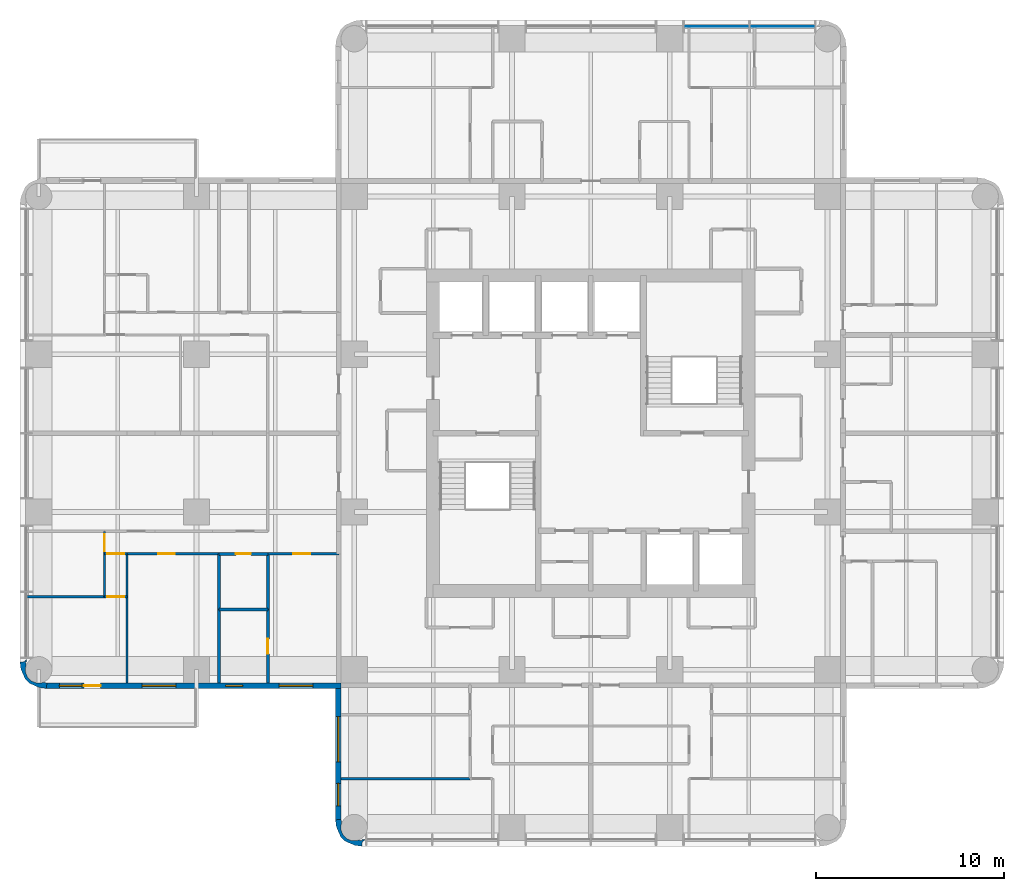
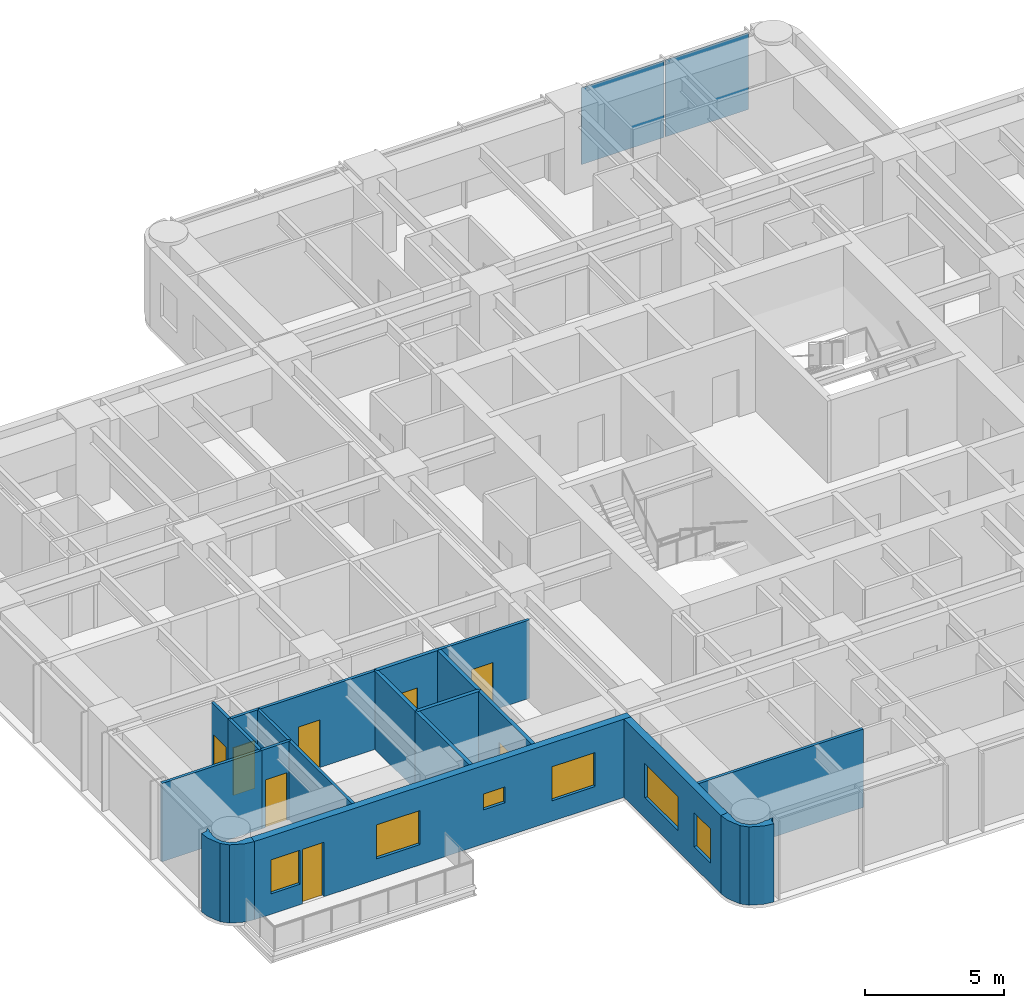
# One storey, part 4 of 12: 20 walls, 8 doors, 6 windows, 2 plates, 14 openings, 1 element without a shape of its own.
"""IFC4 building model written with IfcOpenShell, lengths in metres."""

import ifcopenshell
import ifcopenshell.guid

model = None  # the IFC model being written
_history = None  # IfcOwnerHistory: only IFC2X3 demands one
_inside = {}  # id of a spatial element -> (the spatial element, [elements in it])
_under = {}  # id of a project, library or spatial element -> (it, [spatial elements below it])
_declared = {}  # id of a project -> (the project, [libraries it declares])
_typed = {}  # id of a type object -> (the type object, [elements of that type])
_made_of = {}  # id of a material, layer set ... -> (it, [elements and type objects made of it])


def new_model(schema):
    """Start an empty IFC model of exactly this schema.

    Asked for "IFC4X3", IfcOpenShell would pick the latest addendum, in which some entities
    have other attributes; the version numbers below select the first issue.
    IFC2X3 requires an IfcOwnerHistory on every rooted entity: one is made here for all.
    """
    global model, _history
    if schema == "IFC4X3":
        model = ifcopenshell.file(schema_version=(4, 3, 0, 0))
    else:
        model = ifcopenshell.file(schema=schema)
    _inside.clear()
    _under.clear()
    _declared.clear()
    _typed.clear()
    _made_of.clear()
    _history = None
    if model.schema == "IFC2X3":
        org = make("IfcOrganization", Name="unknown")
        user = make(
            "IfcPersonAndOrganization",
            ThePerson=make("IfcPerson", FamilyName="unknown"),
            TheOrganization=org,
        )
        app = make(
            "IfcApplication",
            ApplicationDeveloper=org,
            Version="unknown",
            ApplicationFullName="unknown",
            ApplicationIdentifier="unknown",
        )
        _history = make(
            "IfcOwnerHistory",
            OwningUser=user,
            OwningApplication=app,
            ChangeAction="ADDED",
            CreationDate=0,
        )
    return model


def make(cls, **values):
    """One entity of the class cls with the attributes given. An attribute that is None is left unset."""
    return model.create_entity(
        cls, **{name: value for name, value in values.items() if value is not None}
    )


def rooted(cls, **values):
    """An entity with a GlobalId (a new one), such as an element, a storey or a relation."""
    return make(cls, GlobalId=ifcopenshell.guid.new(), OwnerHistory=_history, **values)


def si_unit(unit_type, name, prefix=None):
    """IfcSIUnit, for example si_unit("LENGTHUNIT", "METRE", prefix="MILLI")."""
    return make("IfcSIUnit", UnitType=unit_type, Prefix=prefix, Name=name)


def assignment(units):
    """IfcUnitAssignment: the units of a project."""
    return None if units is None else make("IfcUnitAssignment", Units=units)


def point(xyz):
    """IfcCartesianPoint."""
    return None if xyz is None else make("IfcCartesianPoint", Coordinates=xyz)


def direction(xyz):
    """IfcDirection."""
    return None if xyz is None else make("IfcDirection", DirectionRatios=xyz)


def frame(location, z_axis=None, x_axis=None):
    """IfcAxis2Placement3D, a coordinate frame: its origin and axes. An axis left out is left unset."""
    return make(
        "IfcAxis2Placement3D",
        Location=point(location),
        Axis=direction(z_axis),
        RefDirection=direction(x_axis),
    )


def frame_2d(location, x_axis=None):
    """IfcAxis2Placement2D, a coordinate frame in the plane: its origin and x axis."""
    return make(
        "IfcAxis2Placement2D", Location=point(location), RefDirection=direction(x_axis)
    )


def origin():
    """The frame at (0, 0, 0) with its axes left unset."""
    return frame((0.0, 0.0, 0.0))


def origin_2d():
    """The frame at (0, 0) in the plane with its x axis left unset."""
    return frame_2d((0.0, 0.0))


def place(relative_to, where):
    """IfcLocalPlacement: puts the frame where relative to a parent placement (None: the world)."""
    return make(
        "IfcLocalPlacement", PlacementRelTo=relative_to, RelativePlacement=where
    )


def context(
    kind, dimensions, precision=None, world=None, true_north=None, identifier=None
):
    """IfcGeometricRepresentationContext, for example the 3D "Model" context."""
    return make(
        "IfcGeometricRepresentationContext",
        ContextIdentifier=identifier,
        ContextType=kind,
        CoordinateSpaceDimension=dimensions,
        Precision=precision,
        WorldCoordinateSystem=world,
        TrueNorth=true_north,
    )


def subcontext(parent, identifier, kind, view, scale=None):
    """IfcGeometricRepresentationSubContext, for example "Body" below "Model"."""
    return make(
        "IfcGeometricRepresentationSubContext",
        ContextIdentifier=identifier,
        ContextType=kind,
        ParentContext=parent,
        TargetScale=scale,
        TargetView=view,
    )


def project(units=None, contexts=None):
    """IfcProject with its units and contexts."""
    return rooted(
        "IfcProject",
        Name="project",
        RepresentationContexts=contexts,
        UnitsInContext=assignment(units),
    )


def spatial(cls, under=None, at=None, **own):
    """A site, building, storey or space (cls), placed at a placement, below another one or the project."""
    s = rooted(cls, ObjectPlacement=at, **own)
    if under is not None:
        _under.setdefault(under.id(), (under, []))[1].append(s)
    return s


def polyline(points):
    """IfcPolyline through the points."""
    return make("IfcPolyline", Points=[point(p) for p in points])


def profile(cls, at=None, kind="AREA", **sizes):
    """A parametric profile (cls). Its sizes go by their IFC names, for example OverallWidth=200.0."""
    return make(cls, ProfileType=kind, Position=at, **sizes)


def rectangle(**sizes):
    """IfcRectangleProfileDef."""
    return profile("IfcRectangleProfileDef", **sizes)


def outline(outer, holes=None, kind="AREA"):
    """IfcArbitraryClosedProfileDef: a profile drawn as a closed curve; with holes, ...WithVoids."""
    if holes is None:
        return make("IfcArbitraryClosedProfileDef", ProfileType=kind, OuterCurve=outer)
    return make(
        "IfcArbitraryProfileDefWithVoids",
        ProfileType=kind,
        OuterCurve=outer,
        InnerCurves=holes,
    )


def extrude(swept, where, along, depth):
    """IfcExtrudedAreaSolid: the profile swept, set in the frame where, extruded along a direction by depth."""
    return make(
        "IfcExtrudedAreaSolid",
        SweptArea=swept,
        Position=where,
        ExtrudedDirection=direction(along),
        Depth=depth,
    )


def shape(context_of_items, identifier, shape_type, items):
    """IfcShapeRepresentation: the items that make up one representation, for example the "Body"."""
    return make(
        "IfcShapeRepresentation",
        ContextOfItems=context_of_items,
        RepresentationIdentifier=identifier,
        RepresentationType=shape_type,
        Items=items,
    )


def material(Name=None, Category=None):
    """IfcMaterial."""
    return make("IfcMaterial", Name=Name, Category=Category)


def layer(
    of_material, thickness, ventilated=None, Name=None, Category=None, Priority=None
):
    """IfcMaterialLayer: one layer of a wall or slab, of a material (None: an air gap)."""
    return make(
        "IfcMaterialLayer",
        Material=of_material,
        LayerThickness=thickness,
        IsVentilated=ventilated,
        Name=Name,
        Category=Category,
        Priority=Priority,
    )


def layer_set(layers, Name=None):
    """IfcMaterialLayerSet."""
    return make("IfcMaterialLayerSet", MaterialLayers=layers, LayerSetName=Name)


def made_of(thing, what):
    """Note that an element or type object is made of a material, layer set ...; save() writes the relation."""
    if what is not None:
        _made_of.setdefault(what.id(), (what, []))[1].append(thing)
    return thing


def type_object(cls, material=None, **own):
    """A type object (cls), such as IfcWallType, which elements share."""
    return made_of(rooted(cls, **own), material)


def element(
    cls,
    number,
    at=None,
    inside=None,
    cuts=None,
    type_object=None,
    material=None,
    context=None,
    identifier="Body",
    shape_type=None,
    held_by="IfcProductDefinitionShape",
    body=None,
    shapes=None,
    **own,
):
    """One element of the class cls, such as IfcWall. Its Tag is "e" and its number.

    at: its placement. inside: the storey or other place that contains it. cuts: it is an
    opening in that element (IfcRelVoidsElement). A single representation is given by context,
    identifier, shape_type and body (its items); several are given by shapes. held_by: the class
    of the entity that holds the representations. save() writes the other relations.
    """
    e = rooted(cls, Tag="e%d" % number, ObjectPlacement=at, **own)
    if body is not None:
        shapes = [shape(context, identifier, shape_type, body)]
    if shapes is not None:
        e.Representation = make(held_by, Representations=shapes)
    if inside is not None:
        _inside.setdefault(inside.id(), (inside, []))[1].append(e)
    if cuts is not None:
        rooted(
            "IfcRelVoidsElement", RelatingBuildingElement=cuts, RelatedOpeningElement=e
        )
    if type_object is not None:
        _typed.setdefault(type_object.id(), (type_object, []))[1].append(e)
    return made_of(e, material)


def fill(opening, filler):
    """IfcRelFillsElement: the door or window that sits in an opening."""
    return rooted(
        "IfcRelFillsElement",
        RelatingOpeningElement=opening,
        RelatedBuildingElement=filler,
    )


def aggregate(whole, parts):
    """IfcRelAggregates: a whole, such as a stair, and the parts it consists of."""
    return rooted("IfcRelAggregates", RelatingObject=whole, RelatedObjects=parts)


def save(model, path):
    """Write the relations noted so far, then the file.

    IfcRelAggregates (storeys below a building ...), IfcRelContainedInSpatialStructure (elements
    in a storey), IfcRelDefinesByType, IfcRelAssociatesMaterial and IfcRelDeclares: one each for
    every whole, place, type object, material and project.
    """
    for whole, parts in _under.values():
        aggregate(whole, parts)
    for where, things in _inside.values():
        rooted(
            "IfcRelContainedInSpatialStructure",
            RelatedElements=things,
            RelatingStructure=where,
        )
    for kind, things in _typed.values():
        rooted("IfcRelDefinesByType", RelatedObjects=things, RelatingType=kind)
    for what, things in _made_of.values():
        rooted("IfcRelAssociatesMaterial", RelatedObjects=things, RelatingMaterial=what)
    for by, libraries in _declared.values():
        rooted("IfcRelDeclares", RelatingContext=by, RelatedDefinitions=libraries)
    model.write(path)


model = new_model("IFC4")

# Units and contexts
model_context = context("Model", 3, precision=1e-05, world=origin(), true_north=direction((0.0, 1.0)))
body_context = subcontext(model_context, "Body", "Model", "MODEL_VIEW")
ifc_project = project(units=[si_unit("LENGTHUNIT", "METRE"), si_unit("AREAUNIT", "SQUARE_METRE"), si_unit("VOLUMEUNIT", "CUBIC_METRE"), si_unit("PLANEANGLEUNIT", "RADIAN"), si_unit("MASSUNIT", "GRAM", prefix="KILO")], contexts=[model_context])

# Site, building, storey
site_placement = place(None, origin())
site = spatial("IfcSite", under=ifc_project, at=site_placement, CompositionType="ELEMENT")
building_placement = place(site_placement, origin())
building = spatial("IfcBuilding", under=site, at=building_placement, Name="Torre Alcanfor", CompositionType="ELEMENT")
storey_placement = place(building_placement, frame((0.0, 0.0, 226.5)))
storey = spatial("IfcBuildingStorey", under=building, at=storey_placement, Name="L59", CompositionType="ELEMENT", Elevation=226.5)

# Curtain wall, plates
ifc_material_1 = material(Name="Aluminium and glass", Category="aluminium")
curtain_wall_type = type_object("IfcCurtainWallType", Name="CW-A unitised apartment glazing with vertical FIN", PredefinedType="NOTDEFINED", material=ifc_material_1)
curtain_wall_placement = place(storey_placement, origin())
curtain_wall = element("IfcCurtainWall", 1, at=curtain_wall_placement, inside=storey, type_object=curtain_wall_type, Name="Curtain wall CW-A L59 11", PredefinedType="NOTDEFINED")
ifc_material_2 = material(Name="Glass", Category="glass")
ifc_layer_1 = layer(ifc_material_2, 0.028076171875)
ifc_layer_set_1 = layer_set([ifc_layer_1], Name="CW-A clear double glazed unit")
plate_type = type_object("IfcPlateType", Name="CW-A clear double glazed unit", PredefinedType="CURTAIN_PANEL", material=ifc_layer_set_1)
plate_1_placement = place(storey_placement, frame((39.60107421875, 51.050048828125, 0.0), z_axis=(0.0, 0.0, 1.0), x_axis=(-1.0, 0.0, 0.0)))
plate_1 = element("IfcPlate", 2, at=plate_1_placement, type_object=plate_type, Name="CW-A panel 1.1.1", PredefinedType="CURTAIN_PANEL", context=body_context, shape_type="SweptSolid", body=[
    extrude(rectangle(XDim=3.444091796875, YDim=0.028076171875, at=origin_2d()), origin(), (0.0, 0.0, 1.0), 3.385009765625),
])
plate_2_placement = place(storey_placement, frame((36.092041015625, 51.050048828125, 0.0), z_axis=(0.0, 0.0, 1.0), x_axis=(-1.0, 0.0, 0.0)))
plate_2 = element("IfcPlate", 3, at=plate_2_placement, type_object=plate_type, Name="CW-A panel 1.2.1", PredefinedType="CURTAIN_PANEL", context=body_context, shape_type="SweptSolid", body=[
    extrude(rectangle(XDim=3.444091796875, YDim=0.028076171875, at=origin_2d()), origin(), (0.0, 0.0, 1.0), 3.385009765625),
])
aggregate(curtain_wall, [plate_1, plate_2])

# Wall
ifc_material_3 = material(Name="Gypsum board on steel studs", Category="steel")
ifc_layer_2 = layer(ifc_material_3, 0.1201171875)
ifc_layer_set_2 = layer_set([ifc_layer_2], Name="Apartment partition 120")
wall_type_1 = type_object("IfcWallType", Name="Apartment partition 120", PredefinedType="PARTITIONING", material=ifc_layer_set_2)
wall_1_placement = place(storey_placement, frame((22.970947265625, 11.0, 0.0), z_axis=(0.0, 0.0, 1.0), x_axis=(-1.0, 0.0, 0.0)))
element("IfcWall", 4, at=wall_1_placement, inside=storey, type_object=wall_type_1, Name="Partition L59-S2-STUDY / L59-S2-MASTER", PredefinedType="PARTITIONING", context=body_context, shape_type="SweptSolid", body=[
    extrude(rectangle(XDim=6.870849609375, YDim=0.1201171875, at=frame_2d((3.435546875, 0.0))), origin(), (0.0, 0.0, 1.0), 3.449951171875),
])

# Wall, opening, door
wall_2_placement = place(storey_placement, frame((12.199951171875, 22.970947265625, 0.0), z_axis=(0.0, 0.0, 1.0), x_axis=(1.0, 0.0, 0.0)))
wall_2 = element("IfcWall", 5, at=wall_2_placement, inside=storey, type_object=wall_type_1, Name="Partition L59-W1-HALL / L59-W1-SERV", PredefinedType="PARTITIONING", context=body_context, shape_type="SweptSolid", body=[
    extrude(rectangle(XDim=3.775146484375, YDim=0.1201171875, at=frame_2d((1.8876953125, 0.0))), origin(), (0.0, 0.0, 1.0), 3.449951171875),
])
opening_1_placement = place(wall_2_placement, frame((1.35009765625, 0.0, 0.0)))
opening_1 = element("IfcOpeningElement", 6, at=opening_1_placement, cuts=wall_2, Name="Opening D-R1", PredefinedType="OPENING", context=body_context, shape_type="SweptSolid", body=[
    extrude(rectangle(XDim=0.89990234375, YDim=2.10009765625, at=frame_2d((0.449951171875, 1.050048828125))), frame((0.0, 0.070068359375, 0.0), z_axis=(0.0, -1.0, 0.0), x_axis=(1.0, 0.0, 0.0)), (0.0, 0.0, 1.0), 0.14013671875),
])
ifc_material_4 = material(Name="Timber", Category="wood")
door_type_1 = type_object("IfcDoorType", Name="Internal door 900x2100", OperationType="SINGLE_SWING_LEFT", PredefinedType="DOOR", material=ifc_material_4)
door_1_placement = place(opening_1_placement, frame((0.89990234375, 0.0, 0.0), z_axis=(0.0, 0.0, 1.0), x_axis=(-1.0, 0.0, 0.0)))
door_1 = element("IfcDoor", 7, at=door_1_placement, inside=storey, type_object=door_type_1, Name="Door L59-W1 serv", OperationType="SINGLE_SWING_RIGHT", OverallHeight=2.10009765625, OverallWidth=0.89990234375, PredefinedType="DOOR", context=body_context, shape_type="SweptSolid", body=[
    extrude(rectangle(XDim=0.89990234375, YDim=2.10009765625, at=frame_2d((0.449951171875, 1.050048828125))), frame((0.0, 0.025146484375, 0.0), z_axis=(0.0, -1.0, 0.0), x_axis=(1.0, 0.0, 0.0)), (0.0, 0.0, 1.0), 0.050048828125),
])
fill(opening_1, door_1)

wall_3_placement = place(storey_placement, frame((4.699951171875, 22.970947265625, 0.0), z_axis=(0.0, 0.0, 1.0), x_axis=(1.0, 0.0, 0.0)))
wall_3 = element("IfcWall", 8, at=wall_3_placement, inside=storey, type_object=wall_type_1, Name="Partition L59-W1-HALL / L59-W1-BED3", PredefinedType="PARTITIONING", context=body_context, shape_type="SweptSolid", body=[
    extrude(rectangle(XDim=4.900146484375, YDim=0.1201171875, at=frame_2d((2.4501953125, 0.0))), origin(), (0.0, 0.0, 1.0), 3.449951171875),
])
opening_2_placement = place(wall_3_placement, frame((1.64990234375, 0.0, 0.0)))
opening_2 = element("IfcOpeningElement", 9, at=opening_2_placement, cuts=wall_3, Name="Opening D-R1", PredefinedType="OPENING", context=body_context, shape_type="SweptSolid", body=[
    extrude(rectangle(XDim=0.89990234375, YDim=2.10009765625, at=frame_2d((0.449951171875, 1.050048828125))), frame((0.0, 0.070068359375, 0.0), z_axis=(0.0, -1.0, 0.0), x_axis=(1.0, 0.0, 0.0)), (0.0, 0.0, 1.0), 0.14013671875),
])
door_2_placement = place(opening_2_placement, frame((0.89990234375, 0.0, 0.0), z_axis=(0.0, 0.0, 1.0), x_axis=(-1.0, 0.0, 0.0)))
door_2 = element("IfcDoor", 10, at=door_2_placement, inside=storey, type_object=door_type_1, Name="Door L59-W1 bed3", OperationType="SINGLE_SWING_RIGHT", OverallHeight=2.10009765625, OverallWidth=0.89990234375, PredefinedType="DOOR", context=body_context, shape_type="SweptSolid", body=[
    extrude(rectangle(XDim=0.89990234375, YDim=2.10009765625, at=frame_2d((0.449951171875, 1.050048828125))), frame((0.0, 0.025146484375, 0.0), z_axis=(0.0, -1.0, 0.0), x_axis=(1.0, 0.0, 0.0)), (0.0, 0.0, 1.0), 0.050048828125),
])
fill(opening_2, door_2)

wall_4_placement = place(storey_placement, frame((3.5, 22.970947265625, 0.0), z_axis=(0.0, 0.0, 1.0), x_axis=(1.0, 0.0, 0.0)))
wall_4 = element("IfcWall", 11, at=wall_4_placement, inside=storey, type_object=wall_type_1, Name="Partition L59-W1-HALL / L59-W1-VEST", PredefinedType="PARTITIONING", context=body_context, shape_type="SweptSolid", body=[
    extrude(rectangle(XDim=1.199951171875, YDim=0.1201171875, at=frame_2d((0.60009765625, 0.0))), origin(), (0.0, 0.0, 1.0), 3.449951171875),
])
opening_3_placement = place(wall_4_placement, frame((0.14990234375, 0.0, 0.0)))
opening_3 = element("IfcOpeningElement", 12, at=opening_3_placement, cuts=wall_4, Name="Opening D-R1", PredefinedType="OPENING", context=body_context, shape_type="SweptSolid", body=[
    extrude(rectangle(XDim=0.89990234375, YDim=2.10009765625, at=frame_2d((0.449951171875, 1.050048828125))), frame((0.0, 0.070068359375, 0.0), z_axis=(0.0, -1.0, 0.0), x_axis=(1.0, 0.0, 0.0)), (0.0, 0.0, 1.0), 0.14013671875),
])
door_3_placement = place(opening_3_placement, frame((0.89990234375, 0.0, 0.0), z_axis=(0.0, 0.0, 1.0), x_axis=(-1.0, 0.0, 0.0)))
door_3 = element("IfcDoor", 13, at=door_3_placement, inside=storey, type_object=door_type_1, Name="Door L59-W1 vest", OperationType="SINGLE_SWING_RIGHT", OverallHeight=2.10009765625, OverallWidth=0.89990234375, PredefinedType="DOOR", context=body_context, shape_type="SweptSolid", body=[
    extrude(rectangle(XDim=0.89990234375, YDim=2.10009765625, at=frame_2d((0.449951171875, 1.050048828125))), frame((0.0, 0.025146484375, 0.0), z_axis=(0.0, -1.0, 0.0), x_axis=(1.0, 0.0, 0.0)), (0.0, 0.0, 1.0), 0.050048828125),
])
fill(opening_3, door_3)

wall_5_placement = place(storey_placement, frame((3.5, 24.1708984375, 0.0), z_axis=(0.0, 0.0, 1.0), x_axis=(0.0, -1.0, 0.0)))
wall_5 = element("IfcWall", 14, at=wall_5_placement, inside=storey, type_object=wall_type_1, Name="Partition L59-W1-HALL / L59-W1-BED2", PredefinedType="PARTITIONING", context=body_context, shape_type="SweptSolid", body=[
    extrude(rectangle(XDim=1.199951171875, YDim=0.1201171875, at=frame_2d((0.60009765625, 0.0))), origin(), (0.0, 0.0, 1.0), 3.449951171875),
])
opening_4_placement = place(wall_5_placement, frame((0.15087890625, 0.0, 0.0)))
opening_4 = element("IfcOpeningElement", 15, at=opening_4_placement, cuts=wall_5, Name="Opening D-R1", PredefinedType="OPENING", context=body_context, shape_type="SweptSolid", body=[
    extrude(rectangle(XDim=0.89990234375, YDim=2.10009765625, at=frame_2d((0.449951171875, 1.050048828125))), frame((0.0, 0.070068359375, 0.0), z_axis=(0.0, -1.0, 0.0), x_axis=(1.0, 0.0, 0.0)), (0.0, 0.0, 1.0), 0.14013671875),
])
door_4_placement = place(opening_4_placement, frame((0.89990234375, 0.0, 0.0), z_axis=(0.0, 0.0, 1.0), x_axis=(-1.0, 0.0, 0.0)))
door_4 = element("IfcDoor", 16, at=door_4_placement, inside=storey, type_object=door_type_1, Name="Door L59-W1 bed2", OperationType="SINGLE_SWING_RIGHT", OverallHeight=2.10009765625, OverallWidth=0.89990234375, PredefinedType="DOOR", context=body_context, shape_type="SweptSolid", body=[
    extrude(rectangle(XDim=0.89990234375, YDim=2.10009765625, at=frame_2d((0.449951171875, 1.050048828125))), frame((0.0, 0.025146484375, 0.0), z_axis=(0.0, -1.0, 0.0), x_axis=(1.0, 0.0, 0.0)), (0.0, 0.0, 1.0), 0.050048828125),
])
fill(opening_4, door_4)

# Walls
wall_6_placement = place(storey_placement, frame((4.699951171875, 22.970947265625, 0.0), z_axis=(0.0, 0.0, 1.0), x_axis=(0.0, -1.0, 0.0)))
element("IfcWall", 17, at=wall_6_placement, inside=storey, type_object=wall_type_1, Name="Partition L59-W1-BED3 / L59-W1-VEST", PredefinedType="PARTITIONING", context=body_context, shape_type="SweptSolid", body=[
    extrude(rectangle(XDim=2.284912109375, YDim=0.1201171875, at=frame_2d((1.142578125, 0.0))), origin(), (0.0, 0.0, 1.0), 3.449951171875),
])
wall_7_placement = place(storey_placement, frame((4.699951171875, 20.68603515625, 0.0), z_axis=(0.0, 0.0, 1.0), x_axis=(0.0, -1.0, 0.0)))
element("IfcWall", 18, at=wall_7_placement, inside=storey, type_object=wall_type_1, Name="Partition L59-W1-BED3 / L59-W1-MASTER", PredefinedType="PARTITIONING", context=body_context, shape_type="SweptSolid", body=[
    extrude(rectangle(XDim=4.5859375, YDim=0.1201171875, at=frame_2d((2.29296875, 0.0))), origin(), (0.0, 0.0, 1.0), 3.449951171875),
])
wall_8_placement = place(storey_placement, frame((3.5, 22.970947265625, 0.0), z_axis=(0.0, 0.0, 1.0), x_axis=(0.0, -1.0, 0.0)))
element("IfcWall", 19, at=wall_8_placement, inside=storey, type_object=wall_type_1, Name="Partition L59-W1-VEST / L59-W1-BED2", PredefinedType="PARTITIONING", context=body_context, shape_type="SweptSolid", body=[
    extrude(rectangle(XDim=2.284912109375, YDim=0.1201171875, at=frame_2d((1.142578125, 0.0))), origin(), (0.0, 0.0, 1.0), 3.449951171875),
])

# Wall, opening, door
wall_9_placement = place(storey_placement, frame((3.5, 20.68603515625, 0.0), z_axis=(0.0, 0.0, 1.0), x_axis=(1.0, 0.0, 0.0)))
wall_9 = element("IfcWall", 20, at=wall_9_placement, inside=storey, type_object=wall_type_1, Name="Partition L59-W1-VEST / L59-W1-MASTER", PredefinedType="PARTITIONING", context=body_context, shape_type="SweptSolid", body=[
    extrude(rectangle(XDim=1.199951171875, YDim=0.1201171875, at=frame_2d((0.60009765625, 0.0))), origin(), (0.0, 0.0, 1.0), 3.449951171875),
])
opening_5_placement = place(wall_9_placement, frame((0.14990234375, 0.0, 0.0)))
opening_5 = element("IfcOpeningElement", 21, at=opening_5_placement, cuts=wall_9, Name="Opening D-R1", PredefinedType="OPENING", context=body_context, shape_type="SweptSolid", body=[
    extrude(rectangle(XDim=0.89990234375, YDim=2.10009765625, at=frame_2d((0.449951171875, 1.050048828125))), frame((0.0, 0.070068359375, 0.0), z_axis=(0.0, -1.0, 0.0), x_axis=(1.0, 0.0, 0.0)), (0.0, 0.0, 1.0), 0.14013671875),
])
door_5_placement = place(opening_5_placement, origin())
door_5 = element("IfcDoor", 22, at=door_5_placement, inside=storey, type_object=door_type_1, Name="Door L59-W1 master", OperationType="SINGLE_SWING_LEFT", OverallHeight=2.10009765625, OverallWidth=0.89990234375, PredefinedType="DOOR", context=body_context, shape_type="SweptSolid", body=[
    extrude(rectangle(XDim=0.89990234375, YDim=2.10009765625, at=frame_2d((0.449951171875, 1.050048828125))), frame((0.0, 0.02490234375, 0.0), z_axis=(0.0, -1.0, 0.0), x_axis=(1.0, 0.0, 0.0)), (0.0, 0.0, 1.0), 0.050048828125),
])
fill(opening_5, door_5)

# Wall
wall_10_placement = place(storey_placement, frame((-0.64990234375, 20.68603515625, 0.0), z_axis=(0.0, 0.0, 1.0), x_axis=(1.0, 0.0, 0.0)))
element("IfcWall", 23, at=wall_10_placement, inside=storey, type_object=wall_type_1, Name="Partition L59-W1-BED2 / L59-W1-MASTER", PredefinedType="PARTITIONING", context=body_context, shape_type="SweptSolid", body=[
    extrude(rectangle(XDim=4.14990234375, YDim=0.1201171875, at=frame_2d((2.074951171875, 0.0))), origin(), (0.0, 0.0, 1.0), 3.449951171875),
])

# Wall, openings, door, windows
ifc_material_5 = material(Name="Limestone cladding", Category="masonry")
ifc_layer_3 = layer(ifc_material_5, 0.0400390625, Name="Facing")
ifc_material_6 = material(Name="Ventilated air cavity")
ifc_layer_4 = layer(ifc_material_6, 0.02001953125, ventilated=True, Name="Ventilated joint")
ifc_material_7 = material(Name="Mineral wool insulation", Category="insulation")
ifc_layer_5 = layer(ifc_material_7, 0.10009765625, Name="Insulation")
ifc_material_8 = material(Name="Concrete f'c 35 MPa", Category="concrete")
ifc_layer_6 = layer(ifc_material_8, 0.139892578125, Name="Backing")
ifc_layer_set_3 = layer_set([ifc_layer_3, ifc_layer_4, ifc_layer_5, ifc_layer_6], Name="External wall stone-clad 300")
wall_type_2 = type_object("IfcWallType", Name="External wall stone-clad 300", PredefinedType="SOLIDWALL", material=ifc_layer_set_3)
wall_11_placement = place(storey_placement, frame((0.39990234375, 15.949951171875, 0.0), z_axis=(0.0, 0.0, 1.0), x_axis=(1.0, 0.0, 0.0)))
wall_11 = element("IfcWall", 24, at=wall_11_placement, inside=storey, type_object=wall_type_2, Name="External wall L59 3", PredefinedType="SOLIDWALL", context=body_context, shape_type="SweptSolid", body=[
    extrude(rectangle(XDim=15.7001953125, YDim=0.300048828125, at=frame_2d((7.85009765625, 0.0))), origin(), (0.0, 0.0, 1.0), 3.449951171875),
])
opening_6_placement = place(wall_11_placement, frame((12.39990234375, 0.0, 0.89990234375)))
opening_6 = element("IfcOpeningElement", 25, at=opening_6_placement, cuts=wall_11, Name="Opening W2", PredefinedType="OPENING", context=body_context, shape_type="SweptSolid", body=[
    extrude(rectangle(XDim=1.800048828125, YDim=1.5, at=frame_2d((0.89990234375, 0.75))), frame((0.0, 0.159912109375, 0.0), z_axis=(0.0, -1.0, 0.0), x_axis=(1.0, 0.0, 0.0)), (0.0, 0.0, 1.0), 0.320068359375),
])
opening_7_placement = place(wall_11_placement, frame((9.550048828125, 0.0, 1.5)))
opening_7 = element("IfcOpeningElement", 26, at=opening_7_placement, cuts=wall_11, Name="Opening W3", PredefinedType="OPENING", context=body_context, shape_type="SweptSolid", body=[
    extrude(rectangle(XDim=0.89990234375, YDim=0.699951171875, at=frame_2d((0.449951171875, 0.35009765625))), frame((0.0, 0.159912109375, 0.0), z_axis=(0.0, -1.0, 0.0), x_axis=(1.0, 0.0, 0.0)), (0.0, 0.0, 1.0), 0.320068359375),
])
opening_8_placement = place(wall_11_placement, frame((5.10009765625, 0.0, 0.89990234375)))
opening_8 = element("IfcOpeningElement", 27, at=opening_8_placement, cuts=wall_11, Name="Opening W2", PredefinedType="OPENING", context=body_context, shape_type="SweptSolid", body=[
    extrude(rectangle(XDim=1.800048828125, YDim=1.5, at=frame_2d((0.89990234375, 0.75))), frame((0.0, 0.159912109375, 0.0), z_axis=(0.0, -1.0, 0.0), x_axis=(1.0, 0.0, 0.0)), (0.0, 0.0, 1.0), 0.320068359375),
])
opening_9_placement = place(wall_11_placement, frame((2.0, 0.0, 0.0)))
opening_9 = element("IfcOpeningElement", 28, at=opening_9_placement, cuts=wall_11, Name="Opening D-B1", PredefinedType="OPENING", context=body_context, shape_type="SweptSolid", body=[
    extrude(rectangle(XDim=0.89990234375, YDim=2.39990234375, at=frame_2d((0.449951171875, 1.199951171875))), frame((0.0, 0.159912109375, 0.0), z_axis=(0.0, -1.0, 0.0), x_axis=(1.0, 0.0, 0.0)), (0.0, 0.0, 1.0), 0.320068359375),
])
opening_10_placement = place(wall_11_placement, frame((0.699951171875, 0.0, 0.89990234375)))
opening_10 = element("IfcOpeningElement", 29, at=opening_10_placement, cuts=wall_11, Name="Opening W4", PredefinedType="OPENING", context=body_context, shape_type="SweptSolid", body=[
    extrude(rectangle(XDim=1.199951171875, YDim=1.5, at=frame_2d((0.60009765625, 0.75))), frame((0.0, 0.159912109375, 0.0), z_axis=(0.0, -1.0, 0.0), x_axis=(1.0, 0.0, 0.0)), (0.0, 0.0, 1.0), 0.320068359375),
])
ifc_material_9 = material(Name="Aluminium and glass", Category="aluminium")
door_type_2 = type_object("IfcDoorType", Name="Balcony door glazed 900x2400", OperationType="SINGLE_SWING_LEFT", PredefinedType="DOOR", material=ifc_material_9)
door_6_placement = place(opening_9_placement, origin())
door_6 = element("IfcDoor", 30, at=door_6_placement, inside=storey, type_object=door_type_2, Name="Balcony door L59-W1", OperationType="SINGLE_SWING_RIGHT", OverallHeight=2.39990234375, OverallWidth=0.89990234375, PredefinedType="DOOR", context=body_context, shape_type="SweptSolid", body=[
    extrude(rectangle(XDim=0.89990234375, YDim=2.39990234375, at=frame_2d((0.449951171875, 1.199951171875))), frame((0.0, 0.02490234375, 0.0), z_axis=(0.0, -1.0, 0.0), x_axis=(1.0, 0.0, 0.0)), (0.0, 0.0, 1.0), 0.050048828125),
])
fill(opening_9, door_6)
ifc_material_10 = material(Name="Aluminium frame with clear double glazing", Category="aluminium")
window_type_1 = type_object("IfcWindowType", Name="Window bathroom 900x700", PartitioningType="SINGLE_PANEL", PredefinedType="WINDOW", material=ifc_material_10)
window_1_placement = place(opening_7_placement, origin())
window_1 = element("IfcWindow", 31, at=window_1_placement, inside=storey, type_object=window_type_1, Name="Window W3 L59-W1", OverallHeight=0.699951171875, OverallWidth=0.89990234375, PartitioningType="SINGLE_PANEL", PredefinedType="WINDOW", context=body_context, shape_type="SweptSolid", body=[
    extrude(rectangle(XDim=0.89990234375, YDim=0.699951171875, at=frame_2d((0.449951171875, 0.35009765625))), frame((0.0, 0.030029296875, 0.0), z_axis=(0.0, -1.0, 0.0), x_axis=(1.0, 0.0, 0.0)), (0.0, 0.0, 1.0), 0.06005859375),
])
fill(opening_7, window_1)
ifc_material_11 = material(Name="Aluminium frame with clear double glazing", Category="aluminium")
window_type_2 = type_object("IfcWindowType", Name="Window bedroom 1200x1500", PartitioningType="SINGLE_PANEL", PredefinedType="WINDOW", material=ifc_material_11)
window_2_placement = place(opening_10_placement, origin())
window_2 = element("IfcWindow", 32, at=window_2_placement, inside=storey, type_object=window_type_2, Name="Window W4 L59-W1", OverallHeight=1.5, OverallWidth=1.199951171875, PartitioningType="SINGLE_PANEL", PredefinedType="WINDOW", context=body_context, shape_type="SweptSolid", body=[
    extrude(rectangle(XDim=1.199951171875, YDim=1.5, at=frame_2d((0.60009765625, 0.75))), frame((0.0, 0.030029296875, 0.0), z_axis=(0.0, -1.0, 0.0), x_axis=(1.0, 0.0, 0.0)), (0.0, 0.0, 1.0), 0.06005859375),
])
fill(opening_10, window_2)
ifc_material_12 = material(Name="Aluminium frame with clear double glazing", Category="aluminium")
window_type_3 = type_object("IfcWindowType", Name="Window bedroom 1800x1500", PartitioningType="SINGLE_PANEL", PredefinedType="WINDOW", material=ifc_material_12)
window_3_placement = place(opening_6_placement, origin())
window_3 = element("IfcWindow", 33, at=window_3_placement, inside=storey, type_object=window_type_3, Name="Window W2 L59-W1", OverallHeight=1.5, OverallWidth=1.800048828125, PartitioningType="SINGLE_PANEL", PredefinedType="WINDOW", context=body_context, shape_type="SweptSolid", body=[
    extrude(rectangle(XDim=1.800048828125, YDim=1.5, at=frame_2d((0.89990234375, 0.75))), frame((0.0, 0.030029296875, 0.0), z_axis=(0.0, -1.0, 0.0), x_axis=(1.0, 0.0, 0.0)), (0.0, 0.0, 1.0), 0.06005859375),
])
fill(opening_6, window_3)
window_4_placement = place(opening_8_placement, origin())
window_4 = element("IfcWindow", 34, at=window_4_placement, inside=storey, type_object=window_type_3, Name="Window W2 L59-W1", OverallHeight=1.5, OverallWidth=1.800048828125, PartitioningType="SINGLE_PANEL", PredefinedType="WINDOW", context=body_context, shape_type="SweptSolid", body=[
    extrude(rectangle(XDim=1.800048828125, YDim=1.5, at=frame_2d((0.89990234375, 0.75))), frame((0.0, 0.030029296875, 0.0), z_axis=(0.0, -1.0, 0.0), x_axis=(1.0, 0.0, 0.0)), (0.0, 0.0, 1.0), 0.06005859375),
])
fill(opening_8, window_4)

# Wall, openings, windows
wall_12_placement = place(storey_placement, frame((15.949951171875, 15.800048828125, 0.0), z_axis=(0.0, 0.0, 1.0), x_axis=(0.0, -1.0, 0.0)))
wall_12 = element("IfcWall", 35, at=wall_12_placement, inside=storey, type_object=wall_type_2, Name="External wall L59 4", PredefinedType="SOLIDWALL", context=body_context, shape_type="SweptSolid", body=[
    extrude(rectangle(XDim=7.0, YDim=0.300048828125, at=frame_2d((3.5, 0.0))), origin(), (0.0, 0.0, 1.0), 3.449951171875),
])
opening_11_placement = place(wall_12_placement, frame((1.5, 0.0, 0.89990234375)))
opening_11 = element("IfcOpeningElement", 36, at=opening_11_placement, cuts=wall_12, Name="Opening W1", PredefinedType="OPENING", context=body_context, shape_type="SweptSolid", body=[
    extrude(rectangle(XDim=2.39990234375, YDim=1.5, at=frame_2d((1.199951171875, 0.75))), frame((0.0, 0.159912109375, 0.0), z_axis=(0.0, -1.0, 0.0), x_axis=(1.0, 0.0, 0.0)), (0.0, 0.0, 1.0), 0.320068359375),
])
opening_12_placement = place(wall_12_placement, frame((5.050048828125, 0.0, 0.89990234375)))
opening_12 = element("IfcOpeningElement", 37, at=opening_12_placement, cuts=wall_12, Name="Opening W4", PredefinedType="OPENING", context=body_context, shape_type="SweptSolid", body=[
    extrude(rectangle(XDim=1.199951171875, YDim=1.5, at=frame_2d((0.60009765625, 0.75))), frame((0.0, 0.159912109375, 0.0), z_axis=(0.0, -1.0, 0.0), x_axis=(1.0, 0.0, 0.0)), (0.0, 0.0, 1.0), 0.320068359375),
])
window_5_placement = place(opening_12_placement, origin())
window_5 = element("IfcWindow", 38, at=window_5_placement, inside=storey, type_object=window_type_2, Name="Window W4 L59-S2", OverallHeight=1.5, OverallWidth=1.199951171875, PartitioningType="SINGLE_PANEL", PredefinedType="WINDOW", context=body_context, shape_type="SweptSolid", body=[
    extrude(rectangle(XDim=1.199951171875, YDim=1.5, at=frame_2d((0.60009765625, 0.75))), frame((0.0, 0.030029296875, 0.0), z_axis=(0.0, -1.0, 0.0), x_axis=(1.0, 0.0, 0.0)), (0.0, 0.0, 1.0), 0.06005859375),
])
fill(opening_12, window_5)
ifc_material_13 = material(Name="Aluminium frame with clear double glazing", Category="aluminium")
window_type_4 = type_object("IfcWindowType", Name="Window bedroom 2400x1500", PartitioningType="SINGLE_PANEL", PredefinedType="WINDOW", material=ifc_material_13)
window_6_placement = place(opening_11_placement, origin())
window_6 = element("IfcWindow", 39, at=window_6_placement, inside=storey, type_object=window_type_4, Name="Window W1 L59-S2", OverallHeight=1.5, OverallWidth=2.39990234375, PartitioningType="SINGLE_PANEL", PredefinedType="WINDOW", context=body_context, shape_type="SweptSolid", body=[
    extrude(rectangle(XDim=2.39990234375, YDim=1.5, at=frame_2d((1.199951171875, 0.75))), frame((0.0, 0.030029296875, 0.0), z_axis=(0.0, -1.0, 0.0), x_axis=(1.0, 0.0, 0.0)), (0.0, 0.0, 1.0), 0.06005859375),
])
fill(opening_11, window_6)

# Walls
ifc_layer_7 = layer(ifc_material_5, 0.0400390625, Name="Facing")
ifc_layer_8 = layer(ifc_material_6, 0.02001953125, ventilated=True, Name="Ventilated joint")
ifc_layer_9 = layer(ifc_material_7, 0.10009765625, Name="Insulation")
ifc_layer_10 = layer(ifc_material_8, 0.139892578125, Name="Backing")
ifc_layer_set_4 = layer_set([ifc_layer_7, ifc_layer_8, ifc_layer_9, ifc_layer_10], Name="Rounded corner pier stone-clad 300")
wall_type_3 = type_object("IfcWallType", Name="Rounded corner pier stone-clad 300", PredefinedType="SOLIDWALL", material=ifc_layer_set_4)
wall_13_placement = place(storey_placement, frame((-0.58815184, 17.312325495, 0.0), z_axis=(0.0, 0.0, 1.0), x_axis=(-0.898030234854, -0.439933741929, 0.0)))
element("IfcWall", 40, at=wall_13_placement, inside=storey, type_object=wall_type_3, Name="Corner pier L59 14", PredefinedType="SOLIDWALL", context=body_context, shape_type="SweptSolid", body=[
    extrude(outline(polyline([(-0.22200099779214466, 1.7927485446039917), (-0.3895203988851006, 1.5406953482066268), (-0.3717615001977944, 1.5319954866108696), (-0.1946893371505769, 1.4145296087243977), (-0.1196378565013686, 1.4095707271395082), (0.13074069042336733, 1.2869134192092004), (0.31532782000916126, 1.0776826467218847), (0.4055826710323692, 0.8140749979758074), (0.38797260783771476, 0.5356152877148042), (0.26531529990740693, 0.28523674079006817), (0.2089410932617622, 0.23564484500123395), (0.1476439801012907, 0.052805298357783616), (0.1048910758540722, 0.07374940960682917), (0.03174779503048235, -0.07555688676422617), (0.13758283616273645, -0.03932073839803114), (0.18192415361672865, -0.0004176855725517292), (0.4192893563182328, -0.08027036234769044), (0.5359265089611867, 0.2660343125058281), (0.55884082549336, 0.63079452952945), (0.5546362328412097, 0.6510690852705474), (0.5662389797265355, 0.8356887018617073), (0.45562482097298596, 1.1592927954286232), (0.3331931039366845, 1.297838781078767), (0.32408874086174466, 1.3164357373584665), (0.08241545456328281, 1.5906055834666009), (-0.22200099779214466, 1.7927485446039917)])), origin(), (0.0, 0.0, 1.0), 3.449951171875),
])
wall_14_placement = place(storey_placement, frame((16.075788181, 8.689684728, 0.0), z_axis=(0.0, 0.0, 1.0), x_axis=(-0.439933741929, -0.898030234854, 0.0)))
element("IfcWall", 41, at=wall_14_placement, inside=storey, type_object=wall_type_3, Name="Corner pier L59 15", PredefinedType="SOLIDWALL", context=body_context, shape_type="SweptSolid", body=[
    extrude(outline(polyline([(0.6637063463257242, 1.5769511452868783), (0.42612189796141386, 1.4969910628130267), (0.381999826170228, 1.536001521337219), (0.2761647850379738, 1.5722376697034142), (0.3493080658615637, 1.4229313733323588), (0.391841724445976, 1.4437680788826912), (0.45335808326925375, 1.261035937937954), (0.5097322899148984, 1.2114440421491197), (0.6323895978452062, 0.9610654952243838), (0.6499996610398608, 0.6826057849633805), (0.5595255643538466, 0.4188907305185901), (0.37515768043085884, 0.20976736372998736), (0.1247791335061229, 0.08711005579967954), (0.04972765285691469, 0.0821511742147902), (-0.1273445101903028, -0.035314703671681595), (-0.14532265454041515, -0.04412197096615204), (0.02219674655254064, -0.2961751673635169), (0.3266131989079681, -0.09403220622612604), (0.56828648520643, 0.18013763988200826), (0.5776100939441761, 0.19884200186042086), (0.6998225653176713, 0.33728058181185155), (0.810655969734027, 0.6609920810774806), (0.7990532228487013, 0.8456116976686404), (0.8030385698380452, 0.8657788477110249), (0.7801242533058719, 1.2305390647346468), (0.6637063463257242, 1.5769511452868783)])), origin(), (0.0, 0.0, 1.0), 3.449951171875),
])

# Wall, opening, door
ifc_material_14 = material(Name="Cement board on steel studs", Category="steel")
ifc_layer_11 = layer(ifc_material_14, 0.14990234375)
ifc_layer_set_5 = layer_set([ifc_layer_11], Name="Wet area partition 150")
wall_type_4 = type_object("IfcWallType", Name="Wet area partition 150", PredefinedType="PARTITIONING", material=ifc_layer_set_5)
wall_15_placement = place(storey_placement, frame((9.60009765625, 22.970947265625, 0.0), z_axis=(0.0, 0.0, 1.0), x_axis=(1.0, 0.0, 0.0)))
wall_15 = element("IfcWall", 42, at=wall_15_placement, inside=storey, type_object=wall_type_4, Name="Partition L59-W1-HALL / L59-W1-BATH1", PredefinedType="PARTITIONING", context=body_context, shape_type="SweptSolid", body=[
    extrude(rectangle(XDim=2.599853515625, YDim=0.14990234375, at=frame_2d((1.2998046875, 0.0))), origin(), (0.0, 0.0, 1.0), 3.449951171875),
])
opening_13_placement = place(wall_15_placement, frame((0.89990234375, 0.0, 0.0)))
opening_13 = element("IfcOpeningElement", 43, at=opening_13_placement, cuts=wall_15, Name="Opening D-R2", PredefinedType="OPENING", context=body_context, shape_type="SweptSolid", body=[
    extrude(rectangle(XDim=0.800048828125, YDim=2.10009765625, at=frame_2d((0.39990234375, 1.050048828125))), frame((0.0, 0.0849609375, 0.0), z_axis=(0.0, -1.0, 0.0), x_axis=(1.0, 0.0, 0.0)), (0.0, 0.0, 1.0), 0.169921875),
])
ifc_material_15 = material(Name="Timber", Category="wood")
door_type_3 = type_object("IfcDoorType", Name="Bathroom door 800x2100", OperationType="SINGLE_SWING_LEFT", PredefinedType="DOOR", material=ifc_material_15)
door_7_placement = place(opening_13_placement, frame((0.800048828125, 0.0, 0.0), z_axis=(0.0, 0.0, 1.0), x_axis=(-1.0, 0.0, 0.0)))
door_7 = element("IfcDoor", 44, at=door_7_placement, inside=storey, type_object=door_type_3, Name="Door L59-W1 bath1", OperationType="SINGLE_SWING_RIGHT", OverallHeight=2.10009765625, OverallWidth=0.800048828125, PredefinedType="DOOR", context=body_context, shape_type="SweptSolid", body=[
    extrude(rectangle(XDim=0.800048828125, YDim=2.10009765625, at=frame_2d((0.400146484375, 1.050048828125))), frame((0.0, 0.025146484375, 0.0), z_axis=(0.0, -1.0, 0.0), x_axis=(1.0, 0.0, 0.0)), (0.0, 0.0, 1.0), 0.050048828125),
])
fill(opening_13, door_7)

# Wall
wall_16_placement = place(storey_placement, frame((12.199951171875, 22.970947265625, 0.0), z_axis=(0.0, 0.0, 1.0), x_axis=(0.0, -1.0, 0.0)))
element("IfcWall", 45, at=wall_16_placement, inside=storey, type_object=wall_type_4, Name="Partition L59-W1-SERV / L59-W1-BATH1", PredefinedType="PARTITIONING", context=body_context, shape_type="SweptSolid", body=[
    extrude(rectangle(XDim=2.970947265625, YDim=0.14990234375, at=frame_2d((1.4853515625, 0.0))), origin(), (0.0, 0.0, 1.0), 3.449951171875),
])

# Wall, opening, door
wall_17_placement = place(storey_placement, frame((12.199951171875, 20.0, 0.0), z_axis=(0.0, 0.0, 1.0), x_axis=(0.0, -1.0, 0.0)))
wall_17 = element("IfcWall", 46, at=wall_17_placement, inside=storey, type_object=wall_type_4, Name="Partition L59-W1-SERV / L59-W1-SBATH", PredefinedType="PARTITIONING", context=body_context, shape_type="SweptSolid", body=[
    extrude(rectangle(XDim=3.89990234375, YDim=0.14990234375, at=frame_2d((1.949951171875, 0.0))), origin(), (0.0, 0.0, 1.0), 3.449951171875),
])
opening_14_placement = place(wall_17_placement, frame((1.550048828125, 0.0, 0.0)))
opening_14 = element("IfcOpeningElement", 47, at=opening_14_placement, cuts=wall_17, Name="Opening D-R2", PredefinedType="OPENING", context=body_context, shape_type="SweptSolid", body=[
    extrude(rectangle(XDim=0.800048828125, YDim=2.10009765625, at=frame_2d((0.39990234375, 1.050048828125))), frame((0.0, 0.0849609375, 0.0), z_axis=(0.0, -1.0, 0.0), x_axis=(1.0, 0.0, 0.0)), (0.0, 0.0, 1.0), 0.169921875),
])
door_8_placement = place(opening_14_placement, frame((0.800048828125, 0.0, 0.0), z_axis=(0.0, 0.0, 1.0), x_axis=(-1.0, 0.0, 0.0)))
door_8 = element("IfcDoor", 48, at=door_8_placement, inside=storey, type_object=door_type_3, Name="Door L59-W1 sbath", OperationType="SINGLE_SWING_RIGHT", OverallHeight=2.10009765625, OverallWidth=0.800048828125, PredefinedType="DOOR", context=body_context, shape_type="SweptSolid", body=[
    extrude(rectangle(XDim=0.800048828125, YDim=2.10009765625, at=frame_2d((0.400146484375, 1.050048828125))), frame((0.0, 0.025146484375, 0.0), z_axis=(0.0, -1.0, 0.0), x_axis=(1.0, 0.0, 0.0)), (0.0, 0.0, 1.0), 0.050048828125),
])
fill(opening_14, door_8)

# Walls
wall_18_placement = place(storey_placement, frame((9.60009765625, 20.0, 0.0), z_axis=(0.0, 0.0, 1.0), x_axis=(1.0, 0.0, 0.0)))
element("IfcWall", 49, at=wall_18_placement, inside=storey, type_object=wall_type_4, Name="Partition L59-W1-BATH1 / L59-W1-SBATH", PredefinedType="PARTITIONING", context=body_context, shape_type="SweptSolid", body=[
    extrude(rectangle(XDim=2.599853515625, YDim=0.14990234375, at=frame_2d((1.2998046875, 0.0))), origin(), (0.0, 0.0, 1.0), 3.449951171875),
])
wall_19_placement = place(storey_placement, frame((9.60009765625, 22.970947265625, 0.0), z_axis=(0.0, 0.0, 1.0), x_axis=(0.0, -1.0, 0.0)))
element("IfcWall", 50, at=wall_19_placement, inside=storey, type_object=wall_type_4, Name="Partition L59-W1-BATH1 / L59-W1-BED3", PredefinedType="PARTITIONING", context=body_context, shape_type="SweptSolid", body=[
    extrude(rectangle(XDim=2.970947265625, YDim=0.14990234375, at=frame_2d((1.4853515625, 0.0))), origin(), (0.0, 0.0, 1.0), 3.449951171875),
])
wall_20_placement = place(storey_placement, frame((9.60009765625, 20.0, 0.0), z_axis=(0.0, 0.0, 1.0), x_axis=(0.0, -1.0, 0.0)))
element("IfcWall", 51, at=wall_20_placement, inside=storey, type_object=wall_type_4, Name="Partition L59-W1-SBATH / L59-W1-BED3", PredefinedType="PARTITIONING", context=body_context, shape_type="SweptSolid", body=[
    extrude(rectangle(XDim=3.89990234375, YDim=0.14990234375, at=frame_2d((1.949951171875, 0.0))), origin(), (0.0, 0.0, 1.0), 3.449951171875),
])

save(model, "model.ifc")
